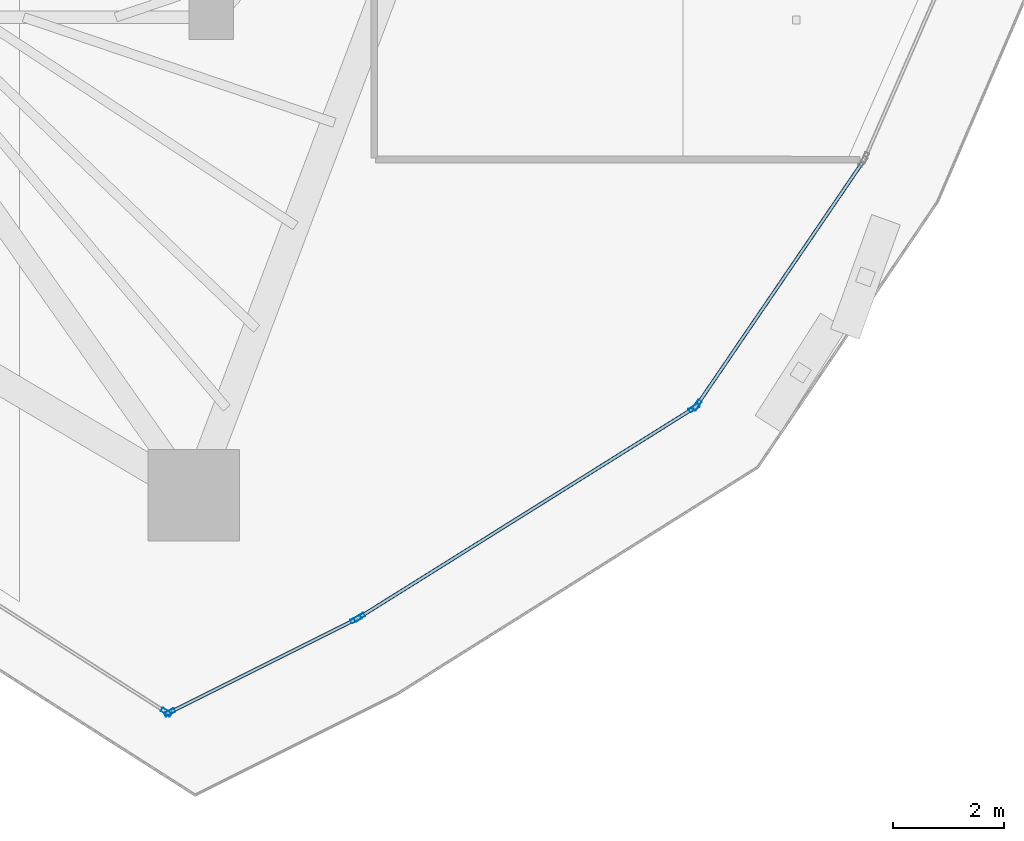
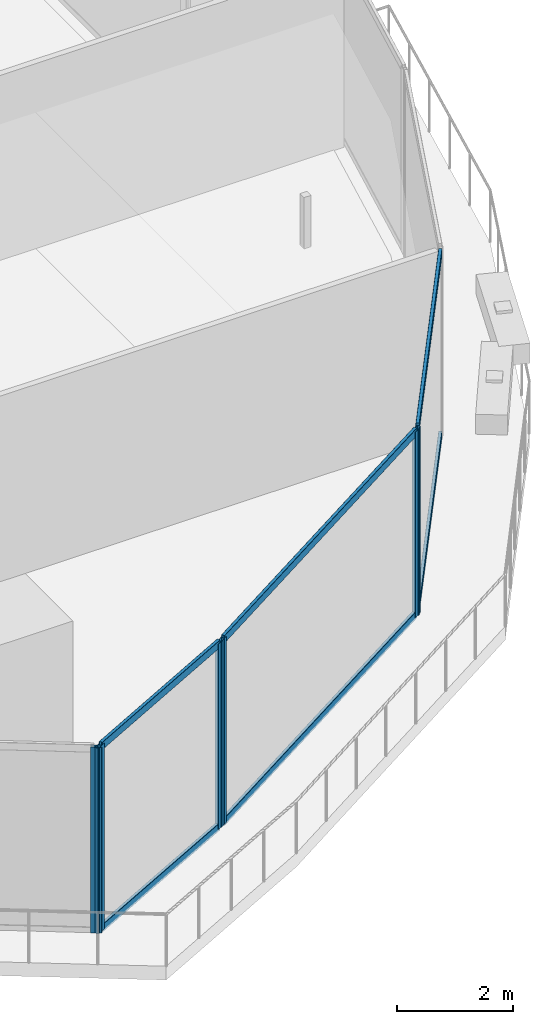
# One storey, part 10 of 34: 12 members, 4 elements without a shape of their own.
"""IFC4 building model written with IfcOpenShell, lengths in metres."""

import ifcopenshell
import ifcopenshell.guid

model = None  # the IFC model being written
_history = None  # IfcOwnerHistory: only IFC2X3 demands one
_inside = {}  # id of a spatial element -> (the spatial element, [elements in it])
_under = {}  # id of a project, library or spatial element -> (it, [spatial elements below it])
_declared = {}  # id of a project -> (the project, [libraries it declares])
_typed = {}  # id of a type object -> (the type object, [elements of that type])
_made_of = {}  # id of a material, layer set ... -> (it, [elements and type objects made of it])


def new_model(schema):
    """Start an empty IFC model of exactly this schema.

    Asked for "IFC4X3", IfcOpenShell would pick the latest addendum, in which some entities
    have other attributes; the version numbers below select the first issue.
    IFC2X3 requires an IfcOwnerHistory on every rooted entity: one is made here for all.
    """
    global model, _history
    if schema == "IFC4X3":
        model = ifcopenshell.file(schema_version=(4, 3, 0, 0))
    else:
        model = ifcopenshell.file(schema=schema)
    _inside.clear()
    _under.clear()
    _declared.clear()
    _typed.clear()
    _made_of.clear()
    _history = None
    if model.schema == "IFC2X3":
        org = make("IfcOrganization", Name="unknown")
        user = make(
            "IfcPersonAndOrganization",
            ThePerson=make("IfcPerson", FamilyName="unknown"),
            TheOrganization=org,
        )
        app = make(
            "IfcApplication",
            ApplicationDeveloper=org,
            Version="unknown",
            ApplicationFullName="unknown",
            ApplicationIdentifier="unknown",
        )
        _history = make(
            "IfcOwnerHistory",
            OwningUser=user,
            OwningApplication=app,
            ChangeAction="ADDED",
            CreationDate=0,
        )
    return model


def make(cls, **values):
    """One entity of the class cls with the attributes given. An attribute that is None is left unset."""
    return model.create_entity(
        cls, **{name: value for name, value in values.items() if value is not None}
    )


def rooted(cls, **values):
    """An entity with a GlobalId (a new one), such as an element, a storey or a relation."""
    return make(cls, GlobalId=ifcopenshell.guid.new(), OwnerHistory=_history, **values)


def si_unit(unit_type, name, prefix=None):
    """IfcSIUnit, for example si_unit("LENGTHUNIT", "METRE", prefix="MILLI")."""
    return make("IfcSIUnit", UnitType=unit_type, Prefix=prefix, Name=name)


def assignment(units):
    """IfcUnitAssignment: the units of a project."""
    return None if units is None else make("IfcUnitAssignment", Units=units)


def point(xyz):
    """IfcCartesianPoint."""
    return None if xyz is None else make("IfcCartesianPoint", Coordinates=xyz)


def direction(xyz):
    """IfcDirection."""
    return None if xyz is None else make("IfcDirection", DirectionRatios=xyz)


def frame(location, z_axis=None, x_axis=None):
    """IfcAxis2Placement3D, a coordinate frame: its origin and axes. An axis left out is left unset."""
    return make(
        "IfcAxis2Placement3D",
        Location=point(location),
        Axis=direction(z_axis),
        RefDirection=direction(x_axis),
    )


def frame_2d(location, x_axis=None):
    """IfcAxis2Placement2D, a coordinate frame in the plane: its origin and x axis."""
    return make(
        "IfcAxis2Placement2D", Location=point(location), RefDirection=direction(x_axis)
    )


def origin():
    """The frame at (0, 0, 0) with its axes left unset."""
    return frame((0.0, 0.0, 0.0))


def origin_2d():
    """The frame at (0, 0) in the plane with its x axis left unset."""
    return frame_2d((0.0, 0.0))


def place(relative_to, where):
    """IfcLocalPlacement: puts the frame where relative to a parent placement (None: the world)."""
    return make(
        "IfcLocalPlacement", PlacementRelTo=relative_to, RelativePlacement=where
    )


def context(
    kind, dimensions, precision=None, world=None, true_north=None, identifier=None
):
    """IfcGeometricRepresentationContext, for example the 3D "Model" context."""
    return make(
        "IfcGeometricRepresentationContext",
        ContextIdentifier=identifier,
        ContextType=kind,
        CoordinateSpaceDimension=dimensions,
        Precision=precision,
        WorldCoordinateSystem=world,
        TrueNorth=true_north,
    )


def subcontext(parent, identifier, kind, view, scale=None):
    """IfcGeometricRepresentationSubContext, for example "Body" below "Model"."""
    return make(
        "IfcGeometricRepresentationSubContext",
        ContextIdentifier=identifier,
        ContextType=kind,
        ParentContext=parent,
        TargetScale=scale,
        TargetView=view,
    )


def project(units=None, contexts=None):
    """IfcProject with its units and contexts."""
    return rooted(
        "IfcProject",
        Name="project",
        RepresentationContexts=contexts,
        UnitsInContext=assignment(units),
    )


def spatial(cls, under=None, at=None, **own):
    """A site, building, storey or space (cls), placed at a placement, below another one or the project."""
    s = rooted(cls, ObjectPlacement=at, **own)
    if under is not None:
        _under.setdefault(under.id(), (under, []))[1].append(s)
    return s


def profile(cls, at=None, kind="AREA", **sizes):
    """A parametric profile (cls). Its sizes go by their IFC names, for example OverallWidth=200.0."""
    return make(cls, ProfileType=kind, Position=at, **sizes)


def hollow_rectangle(**sizes):
    """IfcRectangleHollowProfileDef."""
    return profile("IfcRectangleHollowProfileDef", **sizes)


def extrude(swept, where, along, depth):
    """IfcExtrudedAreaSolid: the profile swept, set in the frame where, extruded along a direction by depth."""
    return make(
        "IfcExtrudedAreaSolid",
        SweptArea=swept,
        Position=where,
        ExtrudedDirection=direction(along),
        Depth=depth,
    )


def shape(context_of_items, identifier, shape_type, items):
    """IfcShapeRepresentation: the items that make up one representation, for example the "Body"."""
    return make(
        "IfcShapeRepresentation",
        ContextOfItems=context_of_items,
        RepresentationIdentifier=identifier,
        RepresentationType=shape_type,
        Items=items,
    )


def material(Name=None, Category=None):
    """IfcMaterial."""
    return make("IfcMaterial", Name=Name, Category=Category)


def layer(
    of_material, thickness, ventilated=None, Name=None, Category=None, Priority=None
):
    """IfcMaterialLayer: one layer of a wall or slab, of a material (None: an air gap)."""
    return make(
        "IfcMaterialLayer",
        Material=of_material,
        LayerThickness=thickness,
        IsVentilated=ventilated,
        Name=Name,
        Category=Category,
        Priority=Priority,
    )


def layer_set(layers, Name=None):
    """IfcMaterialLayerSet."""
    return make("IfcMaterialLayerSet", MaterialLayers=layers, LayerSetName=Name)


def material_profile(
    of_material, cross_section, Name=None, Category=None, Priority=None
):
    """IfcMaterialProfile: a cross section and its material."""
    return make(
        "IfcMaterialProfile",
        Name=Name,
        Material=of_material,
        Profile=cross_section,
        Priority=Priority,
        Category=Category,
    )


def profile_set(profiles, Name=None, composite=None):
    """IfcMaterialProfileSet."""
    return make(
        "IfcMaterialProfileSet",
        Name=Name,
        MaterialProfiles=profiles,
        CompositeProfile=composite,
    )


def made_of(thing, what):
    """Note that an element or type object is made of a material, layer set ...; save() writes the relation."""
    if what is not None:
        _made_of.setdefault(what.id(), (what, []))[1].append(thing)
    return thing


def type_object(cls, material=None, **own):
    """A type object (cls), such as IfcWallType, which elements share."""
    return made_of(rooted(cls, **own), material)


def element(
    cls,
    number,
    at=None,
    inside=None,
    cuts=None,
    type_object=None,
    material=None,
    context=None,
    identifier="Body",
    shape_type=None,
    held_by="IfcProductDefinitionShape",
    body=None,
    shapes=None,
    **own,
):
    """One element of the class cls, such as IfcWall. Its Tag is "e" and its number.

    at: its placement. inside: the storey or other place that contains it. cuts: it is an
    opening in that element (IfcRelVoidsElement). A single representation is given by context,
    identifier, shape_type and body (its items); several are given by shapes. held_by: the class
    of the entity that holds the representations. save() writes the other relations.
    """
    e = rooted(cls, Tag="e%d" % number, ObjectPlacement=at, **own)
    if body is not None:
        shapes = [shape(context, identifier, shape_type, body)]
    if shapes is not None:
        e.Representation = make(held_by, Representations=shapes)
    if inside is not None:
        _inside.setdefault(inside.id(), (inside, []))[1].append(e)
    if cuts is not None:
        rooted(
            "IfcRelVoidsElement", RelatingBuildingElement=cuts, RelatedOpeningElement=e
        )
    if type_object is not None:
        _typed.setdefault(type_object.id(), (type_object, []))[1].append(e)
    return made_of(e, material)


def aggregate(whole, parts):
    """IfcRelAggregates: a whole, such as a stair, and the parts it consists of."""
    return rooted("IfcRelAggregates", RelatingObject=whole, RelatedObjects=parts)


def save(model, path):
    """Write the relations noted so far, then the file.

    IfcRelAggregates (storeys below a building ...), IfcRelContainedInSpatialStructure (elements
    in a storey), IfcRelDefinesByType, IfcRelAssociatesMaterial and IfcRelDeclares: one each for
    every whole, place, type object, material and project.
    """
    for whole, parts in _under.values():
        aggregate(whole, parts)
    for where, things in _inside.values():
        rooted(
            "IfcRelContainedInSpatialStructure",
            RelatedElements=things,
            RelatingStructure=where,
        )
    for kind, things in _typed.values():
        rooted("IfcRelDefinesByType", RelatedObjects=things, RelatingType=kind)
    for what, things in _made_of.values():
        rooted("IfcRelAssociatesMaterial", RelatedObjects=things, RelatingMaterial=what)
    for by, libraries in _declared.values():
        rooted("IfcRelDeclares", RelatingContext=by, RelatedDefinitions=libraries)
    model.write(path)


model = new_model("IFC4")

# Units and contexts
model_context = context("Model", 3, precision=1e-05, world=origin(), true_north=direction((0.0, 1.0)))
body_context = subcontext(model_context, "Body", "Model", "MODEL_VIEW")
ifc_project = project(units=[si_unit("LENGTHUNIT", "METRE"), si_unit("AREAUNIT", "SQUARE_METRE"), si_unit("VOLUMEUNIT", "CUBIC_METRE"), si_unit("PLANEANGLEUNIT", "RADIAN"), si_unit("MASSUNIT", "GRAM", prefix="KILO")], contexts=[model_context])

# Site, building, storey
site_placement = place(None, origin())
site = spatial("IfcSite", under=ifc_project, at=site_placement, CompositionType="ELEMENT")
building_placement = place(site_placement, origin())
building = spatial("IfcBuilding", under=site, at=building_placement, Name="Qorvath Tower", CompositionType="ELEMENT")
storey_placement = place(building_placement, frame((0.0, 0.0, 268.199951171875)))
storey = spatial("IfcBuildingStorey", under=building, at=storey_placement, Name="L62", CompositionType="ELEMENT", Elevation=268.199951171875)

# Curtain wall, member
ifc_material_1 = material(Name="Anodised aluminium and triple low-E glass", Category="aluminium")
ifc_layer = layer(ifc_material_1, 0.179931640625)
ifc_layer_set = layer_set([ifc_layer], Name="CW-SYS-4")
curtain_wall_type = type_object("IfcCurtainWallType", Name="CW-SYS-4", PredefinedType="NOTDEFINED", material=ifc_layer_set)
curtain_wall_1_placement = place(storey_placement, origin())
curtain_wall_1 = element("IfcCurtainWall", 1, at=curtain_wall_1_placement, inside=storey, type_object=curtain_wall_type, Name="Curtain Wall CW-4 CW-T-L62-2.1", PredefinedType="NOTDEFINED")
ifc_material_2 = material(Name="Anodised aluminium 6063-T6", Category="aluminium")
ifc_material_profile_1 = material_profile(ifc_material_2, hollow_rectangle(XDim=0.074951171875, YDim=0.199951171875, WallThickness=0.00390625, InnerFilletRadius=0.00390625, OuterFilletRadius=0.008056640625, at=origin_2d()), Name="CWM 200x75")
ifc_profile_set_1 = profile_set([ifc_material_profile_1], Name="Anodised aluminium 6063-T6")
member_type_1 = type_object("IfcMemberType", Name="CWM-200", PredefinedType="MULLION", material=ifc_profile_set_1)
member_1_placement = place(storey_placement, frame((-18.015625, -24.027099609375, 0.0), z_axis=(0.0, 0.0, 1.0), x_axis=(0.538533509281, 0.842604094093, 0.0)))
member_1 = element("IfcMember", 2, at=member_1_placement, type_object=member_type_1, Name="CW-4 mullion 8", PredefinedType="MULLION", context=body_context, shape_type="SweptSolid", body=[
    extrude(hollow_rectangle(XDim=0.074951171875, YDim=0.199951171875, WallThickness=0.00390625, InnerFilletRadius=0.00390625, OuterFilletRadius=0.008056640625, at=origin_2d()), origin(), (0.0, 0.0, 1.0), 3.91015625),
])
aggregate(curtain_wall_1, [member_1])

# Curtain wall, members
curtain_wall_2_placement = place(storey_placement, origin())
curtain_wall_2 = element("IfcCurtainWall", 3, at=curtain_wall_2_placement, inside=storey, type_object=curtain_wall_type, Name="Curtain Wall CW-4 CW-T-L62-3.1", PredefinedType="NOTDEFINED")
member_2_placement = place(storey_placement, frame((-17.950439453125, -24.030517578125, 0.0), z_axis=(0.0, 0.0, 1.0), x_axis=(-0.447244838324, 0.894411568906, 0.0)))
member_2 = element("IfcMember", 4, at=member_2_placement, type_object=member_type_1, Name="CW-4 mullion 1", PredefinedType="MULLION", context=body_context, shape_type="SweptSolid", body=[
    extrude(hollow_rectangle(XDim=0.074951171875, YDim=0.199951171875, WallThickness=0.00390625, InnerFilletRadius=0.00390625, OuterFilletRadius=0.008056640625, at=origin_2d()), origin(), (0.0, 0.0, 1.0), 3.91015625),
])
member_3_placement = place(storey_placement, frame((-14.582275390625, -22.346435546875, 0.0), z_axis=(0.0, 0.0, 1.0), x_axis=(-0.447244838324, 0.894411568906, 0.0)))
member_3 = element("IfcMember", 5, at=member_3_placement, type_object=member_type_1, Name="CW-4 mullion 2", PredefinedType="MULLION", context=body_context, shape_type="SweptSolid", body=[
    extrude(hollow_rectangle(XDim=0.074951171875, YDim=0.199951171875, WallThickness=0.00390625, InnerFilletRadius=0.00390625, OuterFilletRadius=0.008056640625, at=origin_2d()), origin(), (0.0, 0.0, 1.0), 3.91015625),
])

curtain_wall_3_placement = place(storey_placement, origin())
curtain_wall_3 = element("IfcCurtainWall", 6, at=curtain_wall_3_placement, inside=storey, type_object=curtain_wall_type, Name="Curtain Wall CW-4 CW-T-L62-4.1", PredefinedType="NOTDEFINED")
member_4_placement = place(storey_placement, frame((-14.51708984375, -22.309814453125, 0.0), z_axis=(0.0, 0.0, 1.0), x_axis=(-0.530362503391, 0.84777096848, 0.0)))
member_4 = element("IfcMember", 7, at=member_4_placement, type_object=member_type_1, Name="CW-4 mullion 1", PredefinedType="MULLION", context=body_context, shape_type="SweptSolid", body=[
    extrude(hollow_rectangle(XDim=0.074951171875, YDim=0.199951171875, WallThickness=0.00390625, InnerFilletRadius=0.00390625, OuterFilletRadius=0.008056640625, at=origin_2d()), origin(), (0.0, 0.0, 1.0), 3.91015625),
])
member_5_placement = place(storey_placement, frame((-8.4609375, -18.52099609375, 0.0), z_axis=(0.0, 0.0, 1.0), x_axis=(-0.530362503391, 0.84777096848, 0.0)))
member_5 = element("IfcMember", 8, at=member_5_placement, type_object=member_type_1, Name="CW-4 mullion 2", PredefinedType="MULLION", context=body_context, shape_type="SweptSolid", body=[
    extrude(hollow_rectangle(XDim=0.074951171875, YDim=0.199951171875, WallThickness=0.00390625, InnerFilletRadius=0.00390625, OuterFilletRadius=0.008056640625, at=origin_2d()), origin(), (0.0, 0.0, 1.0), 3.91015625),
])

# Curtain wall, member
curtain_wall_4_placement = place(storey_placement, origin())
curtain_wall_4 = element("IfcCurtainWall", 9, at=curtain_wall_4_placement, inside=storey, type_object=curtain_wall_type, Name="Curtain Wall CW-4 CW-T-L62-5.1", PredefinedType="NOTDEFINED")
member_6_placement = place(storey_placement, frame((-8.407958984375, -18.47021484375, 0.0), z_axis=(0.0, 0.0, 1.0), x_axis=(-0.826318799643, 0.56320266455, 0.0)))
member_6 = element("IfcMember", 10, at=member_6_placement, type_object=member_type_1, Name="CW-4 mullion 1", PredefinedType="MULLION", context=body_context, shape_type="SweptSolid", body=[
    extrude(hollow_rectangle(XDim=0.074951171875, YDim=0.199951171875, WallThickness=0.00390625, InnerFilletRadius=0.00390625, OuterFilletRadius=0.008056640625, at=origin_2d()), origin(), (0.0, 0.0, 1.0), 3.91015625),
])

# Member
ifc_material_3 = material(Name="Anodised aluminium 6063-T6", Category="aluminium")
ifc_material_profile_2 = material_profile(ifc_material_3, hollow_rectangle(XDim=0.06494140625, YDim=0.159912109375, WallThickness=0.00341796875, InnerFilletRadius=0.00341796875, OuterFilletRadius=0.007080078125, at=origin_2d()), Name="CWT 160x65")
ifc_profile_set_2 = profile_set([ifc_material_profile_2], Name="Anodised aluminium 6063-T6")
member_type_2 = type_object("IfcMemberType", Name="CWT-160", PredefinedType="USERDEFINED", material=ifc_profile_set_2)
member_7_placement = place(storey_placement, frame((-17.9169921875, -24.013916015625, 0.032470703125), z_axis=(0.89438749866, 0.447292971373, 0.0), x_axis=(-0.447292971373, 0.89438749866, 0.0)))
member_7 = element("IfcMember", 11, at=member_7_placement, type_object=member_type_2, Name="CW-4 transom 1.1", ObjectType="TRANSOM", PredefinedType="USERDEFINED", context=body_context, shape_type="SweptSolid", body=[
    extrude(hollow_rectangle(XDim=0.06494140625, YDim=0.159912109375, WallThickness=0.00341796875, InnerFilletRadius=0.00341796875, OuterFilletRadius=0.007080078125, at=origin_2d()), origin(), (0.0, 0.0, 1.0), 3.69091796875),
])

member_8_placement = place(storey_placement, frame((-17.9169921875, -24.013916015625, 3.877685546875), z_axis=(0.89438749866, 0.447292971373, 0.0), x_axis=(-0.447292971373, 0.89438749866, 0.0)))
member_8 = element("IfcMember", 12, at=member_8_placement, type_object=member_type_2, Name="CW-4 transom 1.2", ObjectType="TRANSOM", PredefinedType="USERDEFINED", context=body_context, shape_type="SweptSolid", body=[
    extrude(hollow_rectangle(XDim=0.06494140625, YDim=0.159912109375, WallThickness=0.00341796875, InnerFilletRadius=0.00341796875, OuterFilletRadius=0.007080078125, at=origin_2d()), origin(), (0.0, 0.0, 1.0), 3.69091796875),
])

aggregate(curtain_wall_2, [member_2, member_3, member_7, member_8])

member_9_placement = place(storey_placement, frame((-14.485107421875, -22.289794921875, 0.032470703125), z_axis=(0.847775079583, 0.53035593184, 0.0), x_axis=(-0.53035593184, 0.847775079583, 0.0)))
member_9 = element("IfcMember", 13, at=member_9_placement, type_object=member_type_2, Name="CW-4 transom 1.1", ObjectType="TRANSOM", PredefinedType="USERDEFINED", context=body_context, shape_type="SweptSolid", body=[
    extrude(hollow_rectangle(XDim=0.06494140625, YDim=0.159912109375, WallThickness=0.00341796875, InnerFilletRadius=0.00341796875, OuterFilletRadius=0.007080078125, at=origin_2d()), origin(), (0.0, 0.0, 1.0), 7.068359375),
])

member_10_placement = place(storey_placement, frame((-14.485107421875, -22.289794921875, 3.877685546875), z_axis=(0.847775079583, 0.53035593184, 0.0), x_axis=(-0.53035593184, 0.847775079583, 0.0)))
member_10 = element("IfcMember", 14, at=member_10_placement, type_object=member_type_2, Name="CW-4 transom 1.2", ObjectType="TRANSOM", PredefinedType="USERDEFINED", context=body_context, shape_type="SweptSolid", body=[
    extrude(hollow_rectangle(XDim=0.06494140625, YDim=0.159912109375, WallThickness=0.00341796875, InnerFilletRadius=0.00341796875, OuterFilletRadius=0.007080078125, at=origin_2d()), origin(), (0.0, 0.0, 1.0), 7.068359375),
])

aggregate(curtain_wall_3, [member_4, member_5, member_9, member_10])

member_11_placement = place(storey_placement, frame((-8.386962890625, -18.439208984375, 0.032470703125), z_axis=(0.563214455362, 0.826310763134, 0.0), x_axis=(-0.826310763134, 0.563214455362, 0.0)))
member_11 = element("IfcMember", 15, at=member_11_placement, type_object=member_type_2, Name="CW-4 transom 1.1", ObjectType="TRANSOM", PredefinedType="USERDEFINED", context=body_context, shape_type="SweptSolid", body=[
    extrude(hollow_rectangle(XDim=0.06494140625, YDim=0.159912109375, WallThickness=0.00341796875, InnerFilletRadius=0.00341796875, OuterFilletRadius=0.007080078125, at=origin_2d()), origin(), (0.0, 0.0, 1.0), 5.262451171875),
])

member_12_placement = place(storey_placement, frame((-8.386962890625, -18.439208984375, 3.877685546875), z_axis=(0.563214455362, 0.826310763134, 0.0), x_axis=(-0.826310763134, 0.563214455362, 0.0)))
member_12 = element("IfcMember", 16, at=member_12_placement, type_object=member_type_2, Name="CW-4 transom 1.2", ObjectType="TRANSOM", PredefinedType="USERDEFINED", context=body_context, shape_type="SweptSolid", body=[
    extrude(hollow_rectangle(XDim=0.06494140625, YDim=0.159912109375, WallThickness=0.00341796875, InnerFilletRadius=0.00341796875, OuterFilletRadius=0.007080078125, at=origin_2d()), origin(), (0.0, 0.0, 1.0), 5.262451171875),
])

aggregate(curtain_wall_4, [member_6, member_11, member_12])

save(model, "model.ifc")
